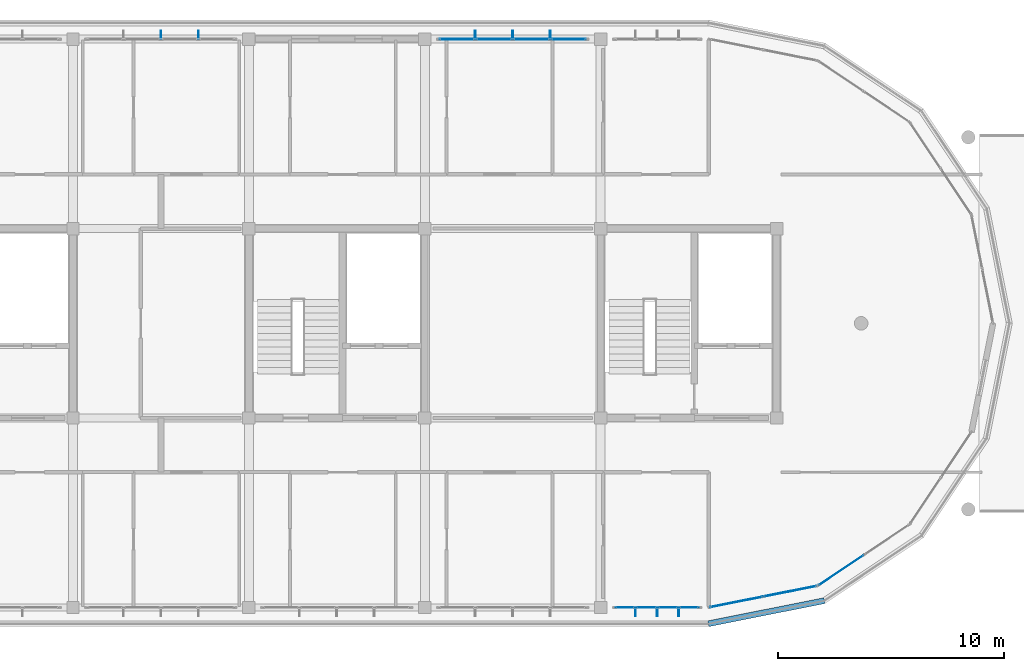
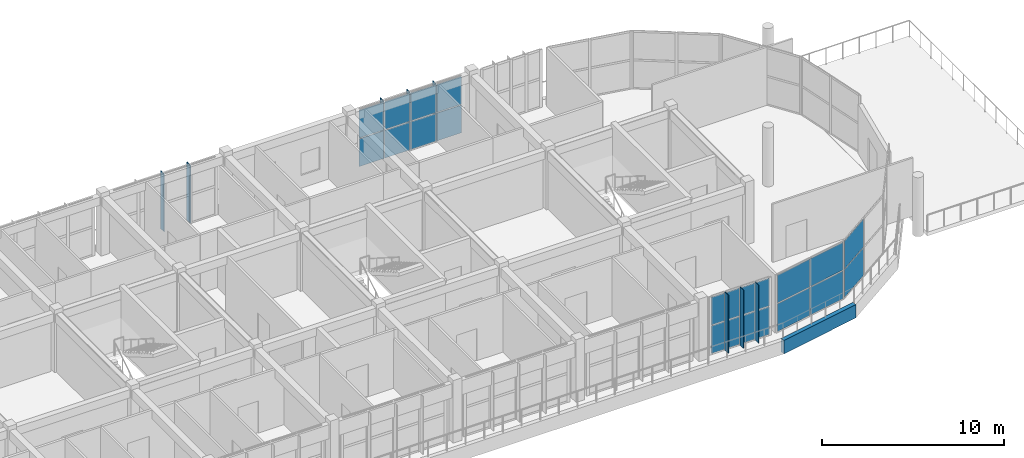
# One storey, part 36 of 44: 31 plates, 4 elements without a shape of their own.
"""IFC4 building model written with IfcOpenShell, lengths in metres."""

from ifc_helpers import new_model, si_unit, direction, frame, origin, origin_2d, place, context, subcontext, project, spatial, polyline, rectangle, outline, extrude, material, layer, layer_set, type_object, element, aggregate, save


model = new_model("IFC4")

# Units and contexts
model_context = context("Model", 3, precision=1e-05, world=origin(), true_north=direction((0.0, 1.0)))
body_context = subcontext(model_context, "Body", "Model", "MODEL_VIEW")
ifc_project = project(units=[si_unit("LENGTHUNIT", "METRE"), si_unit("AREAUNIT", "SQUARE_METRE"), si_unit("VOLUMEUNIT", "CUBIC_METRE"), si_unit("PLANEANGLEUNIT", "RADIAN"), si_unit("MASSUNIT", "GRAM", prefix="KILO")], contexts=[model_context])

# Site, building, storey
site_placement = place(None, origin())
site = spatial("IfcSite", under=ifc_project, at=site_placement, CompositionType="ELEMENT")
building_placement = place(site_placement, origin())
building = spatial("IfcBuilding", under=site, at=building_placement, Name="Zizhar Promenade General Hospital", CompositionType="ELEMENT")
storey_placement = place(building_placement, frame((0.0, 0.0, 34.800048828125)))
storey = spatial("IfcBuildingStorey", under=building, at=storey_placement, Name="L08", CompositionType="ELEMENT", Elevation=34.800048828125)

# Curtain wall, plates
ifc_material_1 = material(Name="Anodised aluminium 6063-T6 and low-E glass", Category="aluminium")
ifc_layer_1 = layer(ifc_material_1, 0.159912109375)
ifc_layer_set_1 = layer_set([ifc_layer_1], Name="Anodised aluminium 6063-T6 and low-E glass")
curtain_wall_type_1 = type_object("IfcCurtainWallType", Name="CW-WARD-ARC", PredefinedType="NOTDEFINED", material=ifc_layer_set_1)
curtain_wall_1_placement = place(storey_placement, origin())
curtain_wall_1 = element("IfcCurtainWall", 1, at=curtain_wall_1_placement, inside=storey, type_object=curtain_wall_type_1, Name="Ward Semicircular End Glazing L08-01", PredefinedType="NOTDEFINED")
ifc_material_2 = material(Name="Low-E solar-control glass", Category="glass")
ifc_layer_2 = layer(ifc_material_2, 0.031982421875)
ifc_layer_set_2 = layer_set([ifc_layer_2], Name="Low-E solar-control glass")
plate_type_1 = type_object("IfcPlateType", Name="CWP-GLZ-32", PredefinedType="CURTAIN_PANEL", material=ifc_layer_set_2)
plate_1_placement = place(storey_placement, frame((102.001708984375, 0.71630859375, 0.06005859375), z_axis=(0.0, 0.0, 1.0), x_axis=(-0.980785889615, -0.195087259275, 0.0)))
plate_1 = element("IfcPlate", 2, at=plate_1_placement, type_object=plate_type_1, Name="CW-12 panel 1.1", PredefinedType="CURTAIN_PANEL", context=body_context, shape_type="SweptSolid", body=[
    extrude(rectangle(XDim=2.3681640625, YDim=0.031982421875, at=origin_2d()), origin(), (0.0, 0.0, 1.0), 1.860107421875),
])
plate_2_placement = place(storey_placement, frame((102.001708984375, 0.71630859375, 1.97998046875), z_axis=(0.0, 0.0, 1.0), x_axis=(-0.980785889615, -0.195087259275, 0.0)))
plate_2 = element("IfcPlate", 3, at=plate_2_placement, type_object=plate_type_1, Name="CW-12 panel 1.2", PredefinedType="CURTAIN_PANEL", context=body_context, shape_type="SweptSolid", body=[
    extrude(rectangle(XDim=2.3681640625, YDim=0.031982421875, at=origin_2d()), origin(), (0.0, 0.0, 1.0), 1.860107421875),
])
plate_3_placement = place(storey_placement, frame((99.6201171875, 0.24267578125, 0.06005859375), z_axis=(0.0, 0.0, 1.0), x_axis=(-0.980785889615, -0.195087259275, 0.0)))
plate_3 = element("IfcPlate", 4, at=plate_3_placement, type_object=plate_type_1, Name="CW-12 panel 2.1", PredefinedType="CURTAIN_PANEL", context=body_context, shape_type="SweptSolid", body=[
    extrude(rectangle(XDim=2.3681640625, YDim=0.031982421875, at=origin_2d()), origin(), (0.0, 0.0, 1.0), 1.860107421875),
])
plate_4_placement = place(storey_placement, frame((99.6201171875, 0.24267578125, 1.97998046875), z_axis=(0.0, 0.0, 1.0), x_axis=(-0.980785889615, -0.195087259275, 0.0)))
plate_4 = element("IfcPlate", 5, at=plate_4_placement, type_object=plate_type_1, Name="CW-12 panel 2.2", PredefinedType="CURTAIN_PANEL", context=body_context, shape_type="SweptSolid", body=[
    extrude(rectangle(XDim=2.3681640625, YDim=0.031982421875, at=origin_2d()), origin(), (0.0, 0.0, 1.0), 1.860107421875),
])
aggregate(curtain_wall_1, [plate_1, plate_2, plate_3, plate_4])

curtain_wall_2_placement = place(storey_placement, origin())
curtain_wall_2 = element("IfcCurtainWall", 6, at=curtain_wall_2_placement, inside=storey, type_object=curtain_wall_type_1, Name="Ward Semicircular End Glazing L08-02", PredefinedType="NOTDEFINED")
plate_5_placement = place(storey_placement, frame((104.256103515625, 1.650390625, 0.06005859375), z_axis=(0.0, 0.0, 1.0), x_axis=(-0.831461514468, -0.555582352095, 0.0)))
plate_5 = element("IfcPlate", 7, at=plate_5_placement, type_object=plate_type_1, Name="CW-12 panel 2.1", PredefinedType="CURTAIN_PANEL", context=body_context, shape_type="SweptSolid", body=[
    extrude(rectangle(XDim=2.3681640625, YDim=0.031982421875, at=origin_2d()), origin(), (0.0, 0.0, 1.0), 1.860107421875),
])
plate_6_placement = place(storey_placement, frame((104.256103515625, 1.650390625, 1.97998046875), z_axis=(0.0, 0.0, 1.0), x_axis=(-0.831461514468, -0.555582352095, 0.0)))
plate_6 = element("IfcPlate", 8, at=plate_6_placement, type_object=plate_type_1, Name="CW-12 panel 2.2", PredefinedType="CURTAIN_PANEL", context=body_context, shape_type="SweptSolid", body=[
    extrude(rectangle(XDim=2.3681640625, YDim=0.031982421875, at=origin_2d()), origin(), (0.0, 0.0, 1.0), 1.860107421875),
])
aggregate(curtain_wall_2, [plate_5, plate_6])

ifc_material_3 = material(Name="Anodised aluminium 6063-T6 and low-E glass", Category="aluminium")
ifc_layer_3 = layer(ifc_material_3, 0.159912109375)
ifc_layer_set_3 = layer_set([ifc_layer_3], Name="Anodised aluminium 6063-T6 and low-E glass")
curtain_wall_type_2 = type_object("IfcCurtainWallType", Name="CW-WARD-RIB", PredefinedType="NOTDEFINED", material=ifc_layer_set_3)
curtain_wall_3_placement = place(storey_placement, origin())
curtain_wall_3 = element("IfcCurtainWall", 9, at=curtain_wall_3_placement, inside=storey, type_object=curtain_wall_type_2, Name="Ward Ribbon Curtain Wall L08-8-5", PredefinedType="NOTDEFINED")
plate_7_placement = place(storey_placement, frame((87.22998046875, 25.199951171875, 0.06005859375), z_axis=(0.0, 0.0, 1.0), x_axis=(1.0, 0.0, 0.0)))
plate_7 = element("IfcPlate", 10, at=plate_7_placement, type_object=plate_type_1, Name="CW-13 panel 1.1", PredefinedType="CURTAIN_PANEL", context=body_context, shape_type="SweptSolid", body=[
    extrude(rectangle(XDim=1.5400390625, YDim=0.031982421875, at=origin_2d()), origin(), (0.0, 0.0, 1.0), 1.860107421875),
])
plate_8_placement = place(storey_placement, frame((87.22998046875, 25.199951171875, 1.97998046875), z_axis=(0.0, 0.0, 1.0), x_axis=(1.0, 0.0, 0.0)))
plate_8 = element("IfcPlate", 11, at=plate_8_placement, type_object=plate_type_1, Name="CW-13 panel 1.2", PredefinedType="CURTAIN_PANEL", context=body_context, shape_type="SweptSolid", body=[
    extrude(rectangle(XDim=1.5400390625, YDim=0.031982421875, at=origin_2d()), origin(), (0.0, 0.0, 1.0), 1.860107421875),
])
plate_9_placement = place(storey_placement, frame((88.8701171875, 25.199951171875, 0.06005859375), z_axis=(0.0, 0.0, 1.0), x_axis=(1.0, 0.0, 0.0)))
plate_9 = element("IfcPlate", 12, at=plate_9_placement, type_object=plate_type_1, Name="CW-13 panel 2.1", PredefinedType="CURTAIN_PANEL", context=body_context, shape_type="SweptSolid", body=[
    extrude(rectangle(XDim=1.580078125, YDim=0.031982421875, at=origin_2d()), origin(), (0.0, 0.0, 1.0), 1.860107421875),
])
plate_10_placement = place(storey_placement, frame((88.8701171875, 25.199951171875, 1.97998046875), z_axis=(0.0, 0.0, 1.0), x_axis=(1.0, 0.0, 0.0)))
plate_10 = element("IfcPlate", 13, at=plate_10_placement, type_object=plate_type_1, Name="CW-13 panel 2.2", PredefinedType="CURTAIN_PANEL", context=body_context, shape_type="SweptSolid", body=[
    extrude(rectangle(XDim=1.580078125, YDim=0.031982421875, at=origin_2d()), origin(), (0.0, 0.0, 1.0), 1.860107421875),
])
plate_11_placement = place(storey_placement, frame((90.530029296875, 25.199951171875, 0.06005859375), z_axis=(0.0, 0.0, 1.0), x_axis=(1.0, 0.0, 0.0)))
plate_11 = element("IfcPlate", 14, at=plate_11_placement, type_object=plate_type_1, Name="CW-13 panel 3.1", PredefinedType="CURTAIN_PANEL", context=body_context, shape_type="SweptSolid", body=[
    extrude(rectangle(XDim=1.580078125, YDim=0.031982421875, at=origin_2d()), origin(), (0.0, 0.0, 1.0), 1.860107421875),
])
plate_12_placement = place(storey_placement, frame((90.530029296875, 25.199951171875, 1.97998046875), z_axis=(0.0, 0.0, 1.0), x_axis=(1.0, 0.0, 0.0)))
plate_12 = element("IfcPlate", 15, at=plate_12_placement, type_object=plate_type_1, Name="CW-13 panel 3.2", PredefinedType="CURTAIN_PANEL", context=body_context, shape_type="SweptSolid", body=[
    extrude(rectangle(XDim=1.580078125, YDim=0.031982421875, at=origin_2d()), origin(), (0.0, 0.0, 1.0), 1.860107421875),
])
plate_13_placement = place(storey_placement, frame((92.169921875, 25.199951171875, 0.06005859375), z_axis=(0.0, 0.0, 1.0), x_axis=(1.0, 0.0, 0.0)))
plate_13 = element("IfcPlate", 16, at=plate_13_placement, type_object=plate_type_1, Name="CW-13 panel 4.1", PredefinedType="CURTAIN_PANEL", context=body_context, shape_type="SweptSolid", body=[
    extrude(rectangle(XDim=1.5400390625, YDim=0.031982421875, at=origin_2d()), origin(), (0.0, 0.0, 1.0), 1.860107421875),
])
plate_14_placement = place(storey_placement, frame((92.169921875, 25.199951171875, 1.97998046875), z_axis=(0.0, 0.0, 1.0), x_axis=(1.0, 0.0, 0.0)))
plate_14 = element("IfcPlate", 17, at=plate_14_placement, type_object=plate_type_1, Name="CW-13 panel 4.2", PredefinedType="CURTAIN_PANEL", context=body_context, shape_type="SweptSolid", body=[
    extrude(rectangle(XDim=1.5400390625, YDim=0.031982421875, at=origin_2d()), origin(), (0.0, 0.0, 1.0), 1.860107421875),
])
aggregate(curtain_wall_3, [plate_7, plate_8, plate_9, plate_10, plate_11, plate_12, plate_13, plate_14])

curtain_wall_4_placement = place(storey_placement, origin())
curtain_wall_4 = element("IfcCurtainWall", 18, at=curtain_wall_4_placement, inside=storey, type_object=curtain_wall_type_2, Name="Ward Ribbon Curtain Wall L08-17-0", PredefinedType="NOTDEFINED")
plate_15_placement = place(storey_placement, frame((97.52001953125, 0.0, 0.06005859375), z_axis=(0.0, 0.0, 1.0), x_axis=(-1.0, 0.0, 0.0)))
plate_15 = element("IfcPlate", 19, at=plate_15_placement, type_object=plate_type_1, Name="CW-13 panel 1.1", PredefinedType="CURTAIN_PANEL", context=body_context, shape_type="SweptSolid", body=[
    extrude(rectangle(XDim=0.840087890625, YDim=0.031982421875, at=origin_2d()), origin(), (0.0, 0.0, 1.0), 1.860107421875),
])
plate_16_placement = place(storey_placement, frame((97.52001953125, 0.0, 1.97998046875), z_axis=(0.0, 0.0, 1.0), x_axis=(-1.0, 0.0, 0.0)))
plate_16 = element("IfcPlate", 20, at=plate_16_placement, type_object=plate_type_1, Name="CW-13 panel 1.2", PredefinedType="CURTAIN_PANEL", context=body_context, shape_type="SweptSolid", body=[
    extrude(rectangle(XDim=0.840087890625, YDim=0.031982421875, at=origin_2d()), origin(), (0.0, 0.0, 1.0), 1.860107421875),
])
plate_17_placement = place(storey_placement, frame((96.580078125, 0.0, 0.06005859375), z_axis=(0.0, 0.0, 1.0), x_axis=(-1.0, 0.0, 0.0)))
plate_17 = element("IfcPlate", 21, at=plate_17_placement, type_object=plate_type_1, Name="CW-13 panel 2.1", PredefinedType="CURTAIN_PANEL", context=body_context, shape_type="SweptSolid", body=[
    extrude(rectangle(XDim=0.8798828125, YDim=0.031982421875, at=origin_2d()), origin(), (0.0, 0.0, 1.0), 1.860107421875),
])
plate_18_placement = place(storey_placement, frame((96.580078125, 0.0, 1.97998046875), z_axis=(0.0, 0.0, 1.0), x_axis=(-1.0, 0.0, 0.0)))
plate_18 = element("IfcPlate", 22, at=plate_18_placement, type_object=plate_type_1, Name="CW-13 panel 2.2", PredefinedType="CURTAIN_PANEL", context=body_context, shape_type="SweptSolid", body=[
    extrude(rectangle(XDim=0.8798828125, YDim=0.031982421875, at=origin_2d()), origin(), (0.0, 0.0, 1.0), 1.860107421875),
])
plate_19_placement = place(storey_placement, frame((95.6201171875, 0.0, 0.06005859375), z_axis=(0.0, 0.0, 1.0), x_axis=(-1.0, 0.0, 0.0)))
plate_19 = element("IfcPlate", 23, at=plate_19_placement, type_object=plate_type_1, Name="CW-13 panel 3.1", PredefinedType="CURTAIN_PANEL", context=body_context, shape_type="SweptSolid", body=[
    extrude(rectangle(XDim=0.8798828125, YDim=0.031982421875, at=origin_2d()), origin(), (0.0, 0.0, 1.0), 1.860107421875),
])
plate_20_placement = place(storey_placement, frame((95.6201171875, 0.0, 1.97998046875), z_axis=(0.0, 0.0, 1.0), x_axis=(-1.0, 0.0, 0.0)))
plate_20 = element("IfcPlate", 24, at=plate_20_placement, type_object=plate_type_1, Name="CW-13 panel 3.2", PredefinedType="CURTAIN_PANEL", context=body_context, shape_type="SweptSolid", body=[
    extrude(rectangle(XDim=0.8798828125, YDim=0.031982421875, at=origin_2d()), origin(), (0.0, 0.0, 1.0), 1.860107421875),
])
plate_21_placement = place(storey_placement, frame((94.679931640625, 0.0, 0.06005859375), z_axis=(0.0, 0.0, 1.0), x_axis=(-1.0, 0.0, 0.0)))
plate_21 = element("IfcPlate", 25, at=plate_21_placement, type_object=plate_type_1, Name="CW-13 panel 4.1", PredefinedType="CURTAIN_PANEL", context=body_context, shape_type="SweptSolid", body=[
    extrude(rectangle(XDim=0.840087890625, YDim=0.031982421875, at=origin_2d()), origin(), (0.0, 0.0, 1.0), 1.860107421875),
])
plate_22_placement = place(storey_placement, frame((94.679931640625, 0.0, 1.97998046875), z_axis=(0.0, 0.0, 1.0), x_axis=(-1.0, 0.0, 0.0)))
plate_22 = element("IfcPlate", 26, at=plate_22_placement, type_object=plate_type_1, Name="CW-13 panel 4.2", PredefinedType="CURTAIN_PANEL", context=body_context, shape_type="SweptSolid", body=[
    extrude(rectangle(XDim=0.840087890625, YDim=0.031982421875, at=origin_2d()), origin(), (0.0, 0.0, 1.0), 1.860107421875),
])
aggregate(curtain_wall_4, [plate_15, plate_16, plate_17, plate_18, plate_19, plate_20, plate_21, plate_22])

# Plates
ifc_material_4 = material(Name="Anodised aluminium 6063-T6", Category="aluminium")
ifc_layer_4 = layer(ifc_material_4, 0.035888671875)
ifc_layer_set_4 = layer_set([ifc_layer_4], Name="Anodised aluminium 6063-T6")
plate_type_2 = type_object("IfcPlateType", Name="FIN-ALU-380", PredefinedType="USERDEFINED", material=ifc_layer_set_4)
plate_23_placement = place(storey_placement, origin())
element("IfcPlate", 27, at=plate_23_placement, inside=storey, type_object=plate_type_2, Name="Ward Ribbon Curtain Wall L08-8-3 Solar Fin 2", ObjectType="SOLAR_SHADE", PredefinedType="USERDEFINED", context=body_context, shape_type="SweptSolid", body=[
    extrude(outline(polyline([(74.08203125, 25.199951171875), (74.117919921875, 25.199951171875), (74.117919921875, 25.580078125), (74.08203125, 25.580078125), (74.08203125, 25.199951171875)])), origin(), (0.0, 0.0, 1.0), 3.89990234375),
])
plate_24_placement = place(storey_placement, origin())
element("IfcPlate", 28, at=plate_24_placement, inside=storey, type_object=plate_type_2, Name="Ward Ribbon Curtain Wall L08-8-3 Solar Fin 3", ObjectType="SOLAR_SHADE", PredefinedType="USERDEFINED", context=body_context, shape_type="SweptSolid", body=[
    extrude(outline(polyline([(75.741943359375, 25.199951171875), (75.778076171875, 25.199951171875), (75.778076171875, 25.580078125), (75.741943359375, 25.580078125), (75.741943359375, 25.199951171875)])), origin(), (0.0, 0.0, 1.0), 3.89990234375),
])
plate_25_placement = place(storey_placement, origin())
element("IfcPlate", 29, at=plate_25_placement, inside=storey, type_object=plate_type_2, Name="Ward Ribbon Curtain Wall L08-8-5 Solar Fin 1", ObjectType="SOLAR_SHADE", PredefinedType="USERDEFINED", context=body_context, shape_type="SweptSolid", body=[
    extrude(outline(polyline([(88.02197265625, 25.199951171875), (88.05810546875, 25.199951171875), (88.05810546875, 25.580078125), (88.02197265625, 25.580078125), (88.02197265625, 25.199951171875)])), origin(), (0.0, 0.0, 1.0), 3.89990234375),
])
plate_26_placement = place(storey_placement, origin())
element("IfcPlate", 30, at=plate_26_placement, inside=storey, type_object=plate_type_2, Name="Ward Ribbon Curtain Wall L08-8-5 Solar Fin 2", ObjectType="SOLAR_SHADE", PredefinedType="USERDEFINED", context=body_context, shape_type="SweptSolid", body=[
    extrude(outline(polyline([(89.681884765625, 25.199951171875), (89.718017578125, 25.199951171875), (89.718017578125, 25.580078125), (89.681884765625, 25.580078125), (89.681884765625, 25.199951171875)])), origin(), (0.0, 0.0, 1.0), 3.89990234375),
])
plate_27_placement = place(storey_placement, origin())
element("IfcPlate", 31, at=plate_27_placement, inside=storey, type_object=plate_type_2, Name="Ward Ribbon Curtain Wall L08-8-5 Solar Fin 3", ObjectType="SOLAR_SHADE", PredefinedType="USERDEFINED", context=body_context, shape_type="SweptSolid", body=[
    extrude(outline(polyline([(91.342041015625, 25.199951171875), (91.3779296875, 25.199951171875), (91.3779296875, 25.580078125), (91.342041015625, 25.580078125), (91.342041015625, 25.199951171875)])), origin(), (0.0, 0.0, 1.0), 3.89990234375),
])
plate_28_placement = place(storey_placement, origin())
element("IfcPlate", 32, at=plate_28_placement, inside=storey, type_object=plate_type_2, Name="Ward Ribbon Curtain Wall L08-17-0 Solar Fin 1", ObjectType="SOLAR_SHADE", PredefinedType="USERDEFINED", context=body_context, shape_type="SweptSolid", body=[
    extrude(outline(polyline([(97.077880859375, 0.0), (97.0419921875, 0.0), (97.0419921875, -0.3798828125), (97.077880859375, -0.3798828125), (97.077880859375, 0.0)])), origin(), (0.0, 0.0, 1.0), 3.89990234375),
])
plate_29_placement = place(storey_placement, origin())
element("IfcPlate", 33, at=plate_29_placement, inside=storey, type_object=plate_type_2, Name="Ward Ribbon Curtain Wall L08-17-0 Solar Fin 2", ObjectType="SOLAR_SHADE", PredefinedType="USERDEFINED", context=body_context, shape_type="SweptSolid", body=[
    extrude(outline(polyline([(96.117919921875, 0.0), (96.08203125, 0.0), (96.08203125, -0.3798828125), (96.117919921875, -0.3798828125), (96.117919921875, 0.0)])), origin(), (0.0, 0.0, 1.0), 3.89990234375),
])
plate_30_placement = place(storey_placement, origin())
element("IfcPlate", 34, at=plate_30_placement, inside=storey, type_object=plate_type_2, Name="Ward Ribbon Curtain Wall L08-17-0 Solar Fin 3", ObjectType="SOLAR_SHADE", PredefinedType="USERDEFINED", context=body_context, shape_type="SweptSolid", body=[
    extrude(outline(polyline([(95.157958984375, 0.0), (95.1220703125, 0.0), (95.1220703125, -0.3798828125), (95.157958984375, -0.3798828125), (95.157958984375, 0.0)])), origin(), (0.0, 0.0, 1.0), 3.89990234375),
])
ifc_material_5 = material(Name="Precast concrete C40/50", Category="concrete")
ifc_layer_5 = layer(ifc_material_5, 0.260009765625)
ifc_layer_set_5 = layer_set([ifc_layer_5], Name="Precast concrete C40/50")
plate_type_3 = type_object("IfcPlateType", Name="PL-PC-BAND950", PredefinedType="USERDEFINED", material=ifc_layer_set_5)
plate_31_placement = place(storey_placement, frame((0.0, 0.0, -0.900146484375)))
element("IfcPlate", 35, at=plate_31_placement, inside=storey, type_object=plate_type_3, Name="Ward Precast Slab Band L08-01", ObjectType="FASCIA_BAND", PredefinedType="USERDEFINED", context=body_context, shape_type="SweptSolid", body=[
    extrude(outline(polyline([(98.39990234375, -0.85009765625), (103.547119140625, 0.173828125), (103.496337890625, 0.4287109375), (98.349365234375, -0.594970703125), (98.39990234375, -0.85009765625)])), origin(), (0.0, 0.0, 1.0), 0.900146484375),
])

save(model, "model.ifc")
